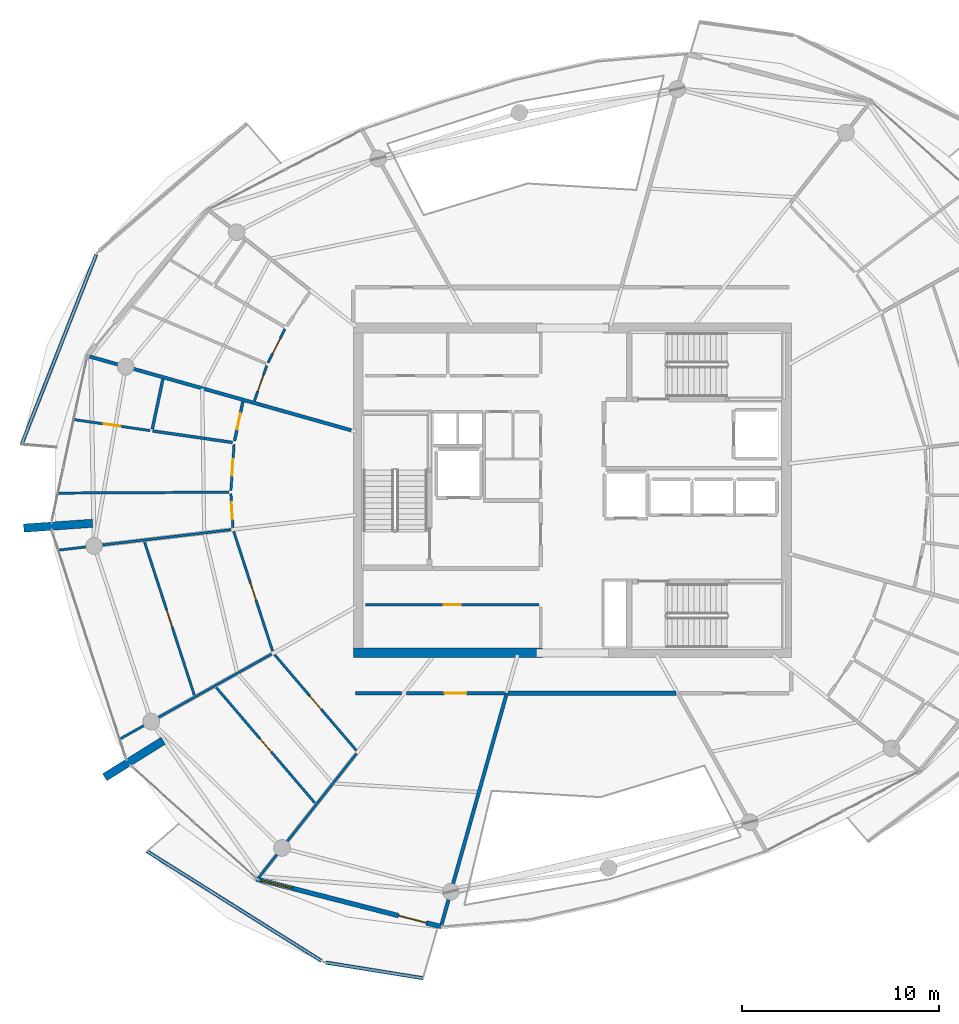
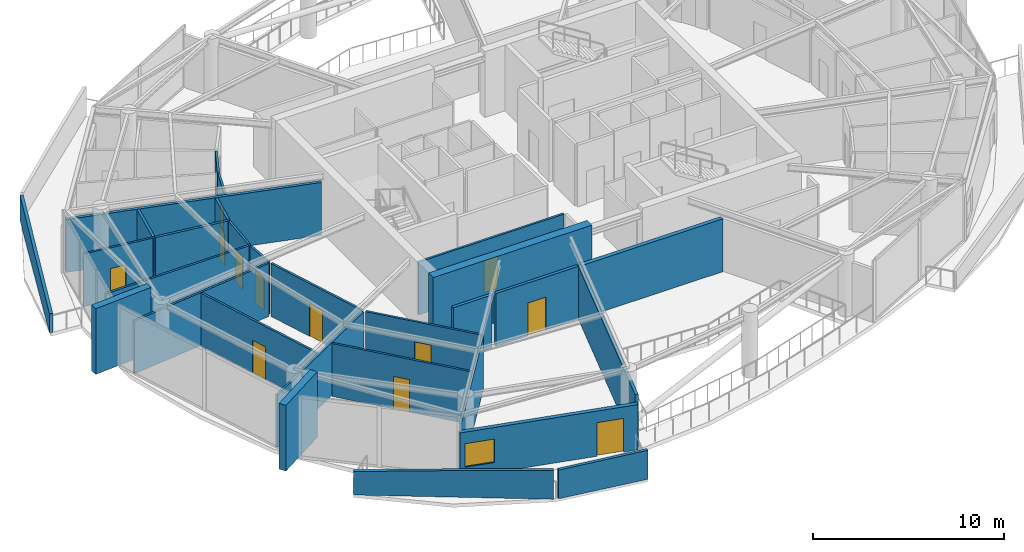
# One storey, part 13 of 22: 29 walls, 13 doors, 1 window, 14 openings.
"""IFC4 building model written with IfcOpenShell, lengths in metres."""

from ifc_helpers import new_model, si_unit, direction, frame, frame_2d, origin, place, context, subcontext, project, spatial, polyline, rectangle, outline, extrude, material, layer, layer_set, type_object, element, fill, save


model = new_model("IFC4")

# Units and contexts
model_context = context("Model", 3, precision=1e-05, world=origin(), true_north=direction((0.0, 1.0)))
body_context = subcontext(model_context, "Body", "Model", "MODEL_VIEW")
ifc_project = project(units=[si_unit("LENGTHUNIT", "METRE"), si_unit("AREAUNIT", "SQUARE_METRE"), si_unit("VOLUMEUNIT", "CUBIC_METRE"), si_unit("PLANEANGLEUNIT", "RADIAN"), si_unit("MASSUNIT", "GRAM", prefix="KILO")], contexts=[model_context])

# Site, building, storey
site_placement = place(None, origin())
site = spatial("IfcSite", under=ifc_project, at=site_placement, CompositionType="ELEMENT")
building_placement = place(site_placement, origin())
building = spatial("IfcBuilding", under=site, at=building_placement, Name="Kazma Halo Residences", CompositionType="ELEMENT")
storey_placement = place(building_placement, frame((0.0, 0.0, 334.699951171875)))
storey = spatial("IfcBuildingStorey", under=building, at=storey_placement, Name="L84", CompositionType="ELEMENT", Elevation=334.699951171875)

# Walls
ifc_material_1 = material(Name="White Concrete C50/60 Balustrade", Category="concrete")
ifc_layer_1 = layer(ifc_material_1, 0.179931640625)
ifc_layer_set_1 = layer_set([ifc_layer_1], Name="White Concrete C50/60 Balustrade")
wall_type_1 = type_object("IfcWallType", Name="WL-BAL-WAVE-180", PredefinedType="PARAPET", material=ifc_layer_set_1)
wall_1_placement = place(storey_placement, frame((24.24462890625, 53.969970703125, 0.0), z_axis=(0.0, 0.0, 1.0), x_axis=(-0.36569397139, -0.930735149916, 0.0)))
element("IfcWall", 1, at=wall_1_placement, inside=storey, type_object=wall_type_1, Name="L84 white wave balustrade wall NW.2", PredefinedType="PARAPET", context=body_context, shape_type="SweptSolid", body=[
    extrude(outline(polyline([(0.0, 0.0), (10.349853515625, 0.0), (10.35009765625, 1.233154296875), (5.175048828125, 1.41796875), (0.0, 1.632080078125), (0.0, 0.0)])), frame((0.0, 0.08984375, 0.0), z_axis=(0.0, -1.0, 0.0), x_axis=(1.0, 0.0, 0.0)), (0.0, 0.0, 1.0), 0.179931640625),
])
wall_2_placement = place(storey_placement, frame((26.812744140625, 23.679443359375, 0.0), z_axis=(0.0, 0.0, 1.0), x_axis=(0.846699200114, -0.532071860302, 0.0)))
element("IfcWall", 2, at=wall_2_placement, inside=storey, type_object=wall_type_1, Name="L84 white wave balustrade wall SW.1", PredefinedType="PARAPET", context=body_context, shape_type="SweptSolid", body=[
    extrude(outline(polyline([(0.0, 0.0), (10.4833984375, 0.0), (10.4833984375, 1.83203125), (5.24169921875, 1.696044921875), (0.0, 1.4970703125), (0.0, 0.0)])), frame((0.0, 0.08984375, 0.0), z_axis=(0.0, -1.0, 0.0), x_axis=(1.0, 0.0, 0.0)), (0.0, 0.0, 1.0), 0.179931640625),
])
wall_3_placement = place(storey_placement, frame((35.9091796875, 18.018798828125, 0.0), z_axis=(0.0, 0.0, 1.0), x_axis=(0.987296491534, -0.158888759215, 0.0)))
element("IfcWall", 3, at=wall_3_placement, inside=storey, type_object=wall_type_1, Name="L84 white wave balustrade wall SW.2", PredefinedType="PARAPET", context=body_context, shape_type="SweptSolid", body=[
    extrude(outline(polyline([(0.0, 0.0), (5.0029296875, 0.0), (5.003173828125, 1.85400390625), (0.0, 1.83203125), (0.0, 0.0)])), frame((0.0, 0.08984375, 0.0), z_axis=(0.0, -1.0, 0.0), x_axis=(1.0, 0.0, 0.0)), (0.0, 0.0, 1.0), 0.179931640625),
])
ifc_material_2 = material(Name="Pale Concrete C60/75", Category="concrete")
ifc_layer_2 = layer(ifc_material_2, 0.419921875)
ifc_layer_set_2 = layer_set([ifc_layer_2], Name="Pale Concrete C60/75")
wall_type_2 = type_object("IfcWallType", Name="WL-BLADE-420", PredefinedType="SOLIDWALL", material=ifc_layer_set_2)
for number, where, z_axis, x_axis, name in (
    (4, (24.05908203125, 40.325927734375, 0.0), (0.0, 0.0, 1.0), (-0.997564163539, -0.069754853754, 0.0), "L84 pale concrete structural blade fin wall BW-02"),
    (5, (27.6474609375, 29.2822265625, 0.0), (0.0, 0.0, 1.0), (-0.848053161125, -0.529911158502, 0.0), "L84 pale concrete structural blade fin wall BW-03"),
):
    element("IfcWall", number, at=place(storey_placement, frame(where, z_axis=z_axis, x_axis=x_axis)), inside=storey, type_object=wall_type_2, Name=name, PredefinedType="SOLIDWALL", context=body_context, shape_type="SweptSolid", body=[
        extrude(rectangle(XDim=3.5, YDim=0.419921875, at=frame_2d((1.75, 0.0))), origin(), (0.0, 0.0, 1.0), 4.199951171875),
    ])
ifc_material_3 = material(Name="Concrete C60/75", Category="concrete")
ifc_layer_3 = layer(ifc_material_3, 0.5)
ifc_layer_set_3 = layer_set([ifc_layer_3], Name="Concrete C60/75")
wall_type_3 = type_object("IfcWallType", Name="WL-CORE-500", PredefinedType="SHEAR", material=ifc_layer_set_3)
wall_4_placement = place(storey_placement, frame((37.300048828125, 33.75, 0.0), z_axis=(0.0, 0.0, 1.0), x_axis=(1.0, 0.0, 0.0)))
element("IfcWall", 6, at=wall_4_placement, inside=storey, type_object=wall_type_3, Name="L84 central core shear wall SW", PredefinedType="SHEAR", context=body_context, shape_type="SweptSolid", body=[
    extrude(rectangle(XDim=9.599853515625, YDim=0.5, at=frame_2d((4.7998046875, 0.0))), origin(), (0.0, 0.0, 1.0), 4.199951171875),
])
ifc_material_4 = material(Name="Acoustic Twin-Stud Gypsum")
ifc_layer_4 = layer(ifc_material_4, 0.179931640625)
ifc_layer_set_4 = layer_set([ifc_layer_4], Name="Acoustic Twin-Stud Gypsum")
wall_type_4 = type_object("IfcWallType", Name="WL-DEM-180", PredefinedType="PARTITIONING", material=ifc_layer_set_4)
wall_5_placement = place(storey_placement, frame((37.194091796875, 45.047607421875, 0.0), z_axis=(0.0, 0.0, 1.0), x_axis=(-0.962457024049, 0.271434111451, 0.0)))
element("IfcWall", 7, at=wall_5_placement, inside=storey, type_object=wall_type_4, Name="L84 apartment demising radial wall 06", PredefinedType="PARTITIONING", context=body_context, shape_type="SweptSolid", body=[
    extrude(rectangle(XDim=13.79931640625, YDim=0.179931640625, at=frame_2d((6.899658203125, 0.0))), origin(), (0.0, 0.0, 1.0), 3.380126953125),
])
wall_6_placement = place(storey_placement, frame((45.09521484375, 31.699951171875, 0.0), z_axis=(0.0, 0.0, 1.0), x_axis=(-0.271453030279, -0.962451688321, 0.0)))
element("IfcWall", 8, at=wall_6_placement, inside=storey, type_object=wall_type_4, Name="L84 apartment demising radial wall 10", PredefinedType="PARTITIONING", context=body_context, shape_type="SweptSolid", body=[
    extrude(rectangle(XDim=12.191162109375, YDim=0.179931640625, at=frame_2d((6.095703125, 0.0))), origin(), (0.0, 0.0, 1.0), 3.380126953125),
])

# Wall, opening, door
wall_7_placement = place(storey_placement, frame((40.0, 31.699951171875, 0.0), z_axis=(0.0, 0.0, 1.0), x_axis=(1.0, 0.0, 0.0)))
wall_7 = element("IfcWall", 9, at=wall_7_placement, inside=storey, type_object=wall_type_4, Name="L84 Penthouse 2 entrance corridor wall", PredefinedType="PARTITIONING", context=body_context, shape_type="SweptSolid", body=[
    extrude(rectangle(XDim=4.97509765625, YDim=0.179931640625, at=frame_2d((2.487548828125, 0.0))), origin(), (0.0, 0.0, 1.0), 3.380126953125),
])
opening_1_placement = place(wall_7_placement, frame((1.9375, 0.0, 0.0)))
opening_1 = element("IfcOpeningElement", 10, at=opening_1_placement, cuts=wall_7, Name="Opening DA-1100", PredefinedType="OPENING", context=body_context, shape_type="SweptSolid", body=[
    extrude(rectangle(XDim=1.10009765625, YDim=2.10009765625, at=frame_2d((0.550048828125, 1.050048828125))), frame((0.0, 0.099853515625, 0.0), z_axis=(0.0, -1.0, 0.0), x_axis=(1.0, 0.0, 0.0)), (0.0, 0.0, 1.0), 0.199951171875),
])
ifc_material_5 = material(Name="Acoustic Walnut Fire Leaf")
door_type_1 = type_object("IfcDoorType", Name="DR-FD60-1100", OperationType="NOTDEFINED", PredefinedType="DOOR", material=ifc_material_5)
door_1_placement = place(opening_1_placement, origin())
door_1 = element("IfcDoor", 11, at=door_1_placement, inside=storey, type_object=door_type_1, Name="L84 Penthouse 2 entrance fire door", OperationType="SINGLE_SWING_LEFT", OverallHeight=2.10009765625, OverallWidth=1.10009765625, PredefinedType="DOOR", context=body_context, shape_type="SweptSolid", body=[
    extrude(rectangle(XDim=1.10009765625, YDim=2.10009765625, at=frame_2d((0.550048828125, 1.050048828125))), frame((0.0, 0.02490234375, 0.0), z_axis=(0.0, -1.0, 0.0), x_axis=(1.0, 0.0, 0.0)), (0.0, 0.0, 1.0), 0.050048828125),
])
fill(opening_1, door_1)

# Wall
wall_8_placement = place(storey_placement, frame((37.419921875, 31.699951171875, 0.0), z_axis=(0.0, 0.0, 1.0), x_axis=(1.0, 0.0, 0.0)))
element("IfcWall", 12, at=wall_8_placement, inside=storey, type_object=wall_type_4, Name="L84 Penthouse 2 inner wall 8", PredefinedType="PARTITIONING", context=body_context, shape_type="SweptSolid", body=[
    extrude(rectangle(XDim=2.340087890625, YDim=0.179931640625, at=frame_2d((1.169921875, 0.0))), origin(), (0.0, 0.0, 1.0), 3.380126953125),
])

# Wall, openings, door, window
ifc_material_6 = material(Name="Insulated Pale-Metal Composite Wall")
ifc_layer_5 = layer(ifc_material_6, 0.239990234375)
ifc_layer_set_5 = layer_set([ifc_layer_5], Name="Insulated Pale-Metal Composite Wall")
wall_type_5 = type_object("IfcWallType", Name="WL-EXT-HOST-240", PredefinedType="SOLIDWALL", material=ifc_layer_set_5)
wall_9_placement = place(storey_placement, frame((32.380126953125, 22.26025390625, 0.0), z_axis=(0.0, 0.0, 1.0), x_axis=(0.968389062354, -0.249444630957, 0.0)))
wall_9 = element("IfcWall", 13, at=wall_9_placement, inside=storey, type_object=wall_type_5, Name="L84 exterior terrace-access wall B10", PredefinedType="SOLIDWALL", context=body_context, shape_type="SweptSolid", body=[
    extrude(rectangle(XDim=9.677734375, YDim=0.239990234375, at=frame_2d((4.8388671875, 0.0))), origin(), (0.0, 0.0, 1.0), 2.89013671875),
])
opening_2_placement = place(wall_9_placement, frame((7.457763671875, 0.0, 0.0)))
opening_2 = element("IfcOpeningElement", 14, at=opening_2_placement, cuts=wall_9, Name="Opening DTR-1600", PredefinedType="OPENING", context=body_context, shape_type="SweptSolid", body=[
    extrude(rectangle(XDim=1.449951171875, YDim=2.14990234375, at=frame_2d((0.72509765625, 1.074951171875))), frame((0.0, 0.1298828125, 0.0), z_axis=(0.0, -1.0, 0.0), x_axis=(1.0, 0.0, 0.0)), (0.0, 0.0, 1.0), 0.260009765625),
])
opening_3_placement = place(wall_9_placement, frame((0.280029296875, 0.0, 0.64990234375)))
opening_3 = element("IfcOpeningElement", 15, at=opening_3_placement, cuts=wall_9, Name="Opening W-1800", PredefinedType="OPENING", context=body_context, shape_type="SweptSolid", body=[
    extrude(rectangle(XDim=1.60009765625, YDim=1.5, at=frame_2d((0.800048828125, 0.75))), frame((0.0, 0.1298828125, 0.0), z_axis=(0.0, -1.0, 0.0), x_axis=(1.0, 0.0, 0.0)), (0.0, 0.0, 1.0), 0.260009765625),
])
ifc_material_7 = material(Name="Aluminium AW-6063 T6 Double-Glazed Terrace Door", Category="aluminium")
door_type_2 = type_object("IfcDoorType", Name="DR-EXT-TERR-1600", OperationType="NOTDEFINED", PredefinedType="DOOR", material=ifc_material_7)
door_2_placement = place(opening_2_placement, origin())
door_2 = element("IfcDoor", 16, at=door_2_placement, inside=storey, type_object=door_type_2, Name="L84 B10 balcony terrace door", OperationType="DOUBLE_DOOR_SLIDING", OverallHeight=2.14990234375, OverallWidth=1.449951171875, PredefinedType="DOOR", context=body_context, shape_type="SweptSolid", body=[
    extrude(rectangle(XDim=1.449951171875, YDim=2.14990234375, at=frame_2d((0.72509765625, 1.074951171875))), frame((0.0, 0.02490234375, 0.0), z_axis=(0.0, -1.0, 0.0), x_axis=(1.0, 0.0, 0.0)), (0.0, 0.0, 1.0), 0.050048828125),
])
fill(opening_2, door_2)
ifc_material_8 = material(Name="Clear Triple-Silver Low-E Glass in Aluminium AW-6063 T6 Frame", Category="aluminium")
window_type = type_object("IfcWindowType", Name="WIN-RES-1800", PartitioningType="DOUBLE_PANEL_VERTICAL", PredefinedType="WINDOW", material=ifc_material_8)
window_placement = place(opening_3_placement, origin())
window = element("IfcWindow", 17, at=window_placement, inside=storey, type_object=window_type, Name="L84 B10 apartment window", OverallHeight=1.5, OverallWidth=1.60009765625, PartitioningType="SINGLE_PANEL", PredefinedType="WINDOW", context=body_context, shape_type="SweptSolid", body=[
    extrude(rectangle(XDim=1.60009765625, YDim=1.5, at=frame_2d((0.800048828125, 0.75))), frame((0.0, 0.030029296875, 0.0), z_axis=(0.0, -1.0, 0.0), x_axis=(1.0, 0.0, 0.0)), (0.0, 0.0, 1.0), 0.06005859375),
])
fill(opening_3, window)

# Wall
wall_10_placement = place(storey_placement, frame((45.1650390625, 31.699951171875, 0.0), z_axis=(0.0, 0.0, 1.0), x_axis=(1.0, 0.0, 0.0)))
element("IfcWall", 18, at=wall_10_placement, inside=storey, type_object=wall_type_5, Name="L84 wind-portal core closure wall", PredefinedType="SOLIDWALL", context=body_context, shape_type="SweptSolid", body=[
    extrude(rectangle(XDim=8.533203125, YDim=0.239990234375, at=frame_2d((4.2666015625, 0.0))), origin(), (0.0, 0.0, 1.0), 3.380126953125),
])

# Wall, opening, door
ifc_material_9 = material(Name="Gypsum Plasterboard Partition")
ifc_layer_6 = layer(ifc_material_9, 0.125)
ifc_layer_set_6 = layer_set([ifc_layer_6], Name="Gypsum Plasterboard Partition")
wall_type_6 = type_object("IfcWallType", Name="WL-PART-125", PredefinedType="PARTITIONING", material=ifc_layer_set_6)
wall_11_placement = place(storey_placement, frame((37.919921875, 36.179931640625, 0.0), z_axis=(0.0, 0.0, 1.0), x_axis=(1.0, 0.0, 0.0)))
wall_11 = element("IfcWall", 19, at=wall_11_placement, inside=storey, type_object=wall_type_6, Name="L84 reclaimed south front wall", PredefinedType="PARTITIONING", context=body_context, shape_type="SweptSolid", body=[
    extrude(rectangle(XDim=8.800048828125, YDim=0.125, at=frame_2d((4.39990234375, 0.0))), origin(), (0.0, 0.0, 1.0), 3.380126953125),
])
opening_4_placement = place(wall_11_placement, frame((3.97509765625, 0.0, 0.0)))
opening_4 = element("IfcOpeningElement", 20, at=opening_4_placement, cuts=wall_11, Name="Opening DS-850", PredefinedType="OPENING", context=body_context, shape_type="SweptSolid", body=[
    extrude(rectangle(XDim=0.85009765625, YDim=2.06005859375, at=frame_2d((0.425048828125, 1.030029296875))), frame((0.0, 0.072509765625, 0.0), z_axis=(0.0, -1.0, 0.0), x_axis=(1.0, 0.0, 0.0)), (0.0, 0.0, 1.0), 0.14501953125),
])
ifc_material_10 = material(Name="Painted Steel Access Leaf", Category="steel")
door_type_3 = type_object("IfcDoorType", Name="DR-SVC-850", OperationType="NOTDEFINED", PredefinedType="DOOR", material=ifc_material_10)
door_3_placement = place(opening_4_placement, origin())
door_3 = element("IfcDoor", 21, at=door_3_placement, inside=storey, type_object=door_type_3, Name="L84 reclaimed south service door", OperationType="SINGLE_SWING_LEFT", OverallHeight=2.06005859375, OverallWidth=0.85009765625, PredefinedType="DOOR", context=body_context, shape_type="SweptSolid", body=[
    extrude(rectangle(XDim=0.85009765625, YDim=2.06005859375, at=frame_2d((0.425048828125, 1.030029296875))), frame((0.0, 0.02490234375, 0.0), z_axis=(0.0, -1.0, 0.0), x_axis=(1.0, 0.0, 0.0)), (0.0, 0.0, 1.0), 0.050048828125),
])
fill(opening_4, door_3)

wall_12_placement = place(storey_placement, frame((33.828369140625, 50.18701171875, 0.0), z_axis=(0.0, 0.0, 1.0), x_axis=(-0.449051769977, -0.893505740262, 0.0)))
wall_12 = element("IfcWall", 22, at=wall_12_placement, inside=storey, type_object=wall_type_6, Name="L84 Penthouse 1 Gourmet Kitchen hall wall", PredefinedType="PARTITIONING", context=body_context, shape_type="SweptSolid", body=[
    extrude(rectangle(XDim=1.91162109375, YDim=0.125, at=frame_2d((0.955810546875, 0.0))), origin(), (0.0, 0.0, 1.0), 3.380126953125),
])
opening_5_placement = place(wall_12_placement, frame((0.53076171875, 0.0, 0.0)))
opening_5 = element("IfcOpeningElement", 23, at=opening_5_placement, cuts=wall_12, Name="Opening DB-900", PredefinedType="OPENING", context=body_context, shape_type="SweptSolid", body=[
    extrude(rectangle(XDim=0.85009765625, YDim=2.06005859375, at=frame_2d((0.425048828125, 1.030029296875))), frame((0.0, 0.072509765625, 0.0), z_axis=(0.0, -1.0, 0.0), x_axis=(1.0, 0.0, 0.0)), (0.0, 0.0, 1.0), 0.14501953125),
])
ifc_material_11 = material(Name="Moisture-Sealed Timber Leaf", Category="wood")
door_type_4 = type_object("IfcDoorType", Name="DR-BTH-900", OperationType="NOTDEFINED", PredefinedType="DOOR", material=ifc_material_11)
door_4_placement = place(opening_5_placement, origin())
door_4 = element("IfcDoor", 24, at=door_4_placement, inside=storey, type_object=door_type_4, Name="L84 Penthouse 1 Gourmet Kitchen door", OperationType="SINGLE_SWING_RIGHT", OverallHeight=2.06005859375, OverallWidth=0.85009765625, PredefinedType="DOOR", context=body_context, shape_type="SweptSolid", body=[
    extrude(rectangle(XDim=0.85009765625, YDim=2.06005859375, at=frame_2d((0.425048828125, 1.030029296875))), frame((0.0, 0.02490234375, 0.0), z_axis=(0.0, -1.0, 0.0), x_axis=(1.0, 0.0, 0.0)), (0.0, 0.0, 1.0), 0.050048828125),
])
fill(opening_5, door_4)

wall_13_placement = place(storey_placement, frame((32.907470703125, 48.33203125, 0.0), z_axis=(0.0, 0.0, 1.0), x_axis=(-0.332128336942, -0.943234206229, 0.0)))
wall_13 = element("IfcWall", 25, at=wall_13_placement, inside=storey, type_object=wall_type_6, Name="L84 Penthouse 1 Primary Bedroom hall wall", PredefinedType="PARTITIONING", context=body_context, shape_type="SweptSolid", body=[
    extrude(rectangle(XDim=1.901611328125, YDim=0.125, at=frame_2d((0.95068359375, 0.0))), origin(), (0.0, 0.0, 1.0), 3.380126953125),
])
opening_6_placement = place(wall_13_placement, frame((0.52587890625, 0.0, 0.0)))
opening_6 = element("IfcOpeningElement", 26, at=opening_6_placement, cuts=wall_13, Name="Opening DB-900", PredefinedType="OPENING", context=body_context, shape_type="SweptSolid", body=[
    extrude(rectangle(XDim=0.85009765625, YDim=2.06005859375, at=frame_2d((0.425048828125, 1.030029296875))), frame((0.0, 0.072509765625, 0.0), z_axis=(0.0, -1.0, 0.0), x_axis=(1.0, 0.0, 0.0)), (0.0, 0.0, 1.0), 0.14501953125),
])
door_5_placement = place(opening_6_placement, origin())
door_5 = element("IfcDoor", 27, at=door_5_placement, inside=storey, type_object=door_type_4, Name="L84 Penthouse 1 Primary Bedroom door", OperationType="SINGLE_SWING_LEFT", OverallHeight=2.06005859375, OverallWidth=0.85009765625, PredefinedType="DOOR", context=body_context, shape_type="SweptSolid", body=[
    extrude(rectangle(XDim=0.85009765625, YDim=2.06005859375, at=frame_2d((0.425048828125, 1.030029296875))), frame((0.0, 0.02490234375, 0.0), z_axis=(0.0, -1.0, 0.0), x_axis=(1.0, 0.0, 0.0)), (0.0, 0.0, 1.0), 0.050048828125),
])
fill(opening_6, door_5)

wall_14_placement = place(storey_placement, frame((26.985595703125, 45.032958984375, 0.0), z_axis=(0.0, 0.0, 1.0), x_axis=(-0.989744483193, 0.142849074164, 0.0)))
wall_14 = element("IfcWall", 28, at=wall_14_placement, inside=storey, type_object=wall_type_6, Name="L84 Penthouse 2 Utility Laundry Room partition wall", PredefinedType="PARTITIONING", context=body_context, shape_type="SweptSolid", body=[
    extrude(rectangle(XDim=3.90185546875, YDim=0.125, at=frame_2d((1.950927734375, 0.0))), origin(), (0.0, 0.0, 1.0), 3.380126953125),
])
opening_7_placement = place(wall_14_placement, frame((1.52587890625, 0.0, 0.0)))
opening_7 = element("IfcOpeningElement", 29, at=opening_7_placement, cuts=wall_14, Name="Opening DB-900", PredefinedType="OPENING", context=body_context, shape_type="SweptSolid", body=[
    extrude(rectangle(XDim=0.85009765625, YDim=2.06005859375, at=frame_2d((0.425048828125, 1.030029296875))), frame((0.0, 0.072509765625, 0.0), z_axis=(0.0, -1.0, 0.0), x_axis=(1.0, 0.0, 0.0)), (0.0, 0.0, 1.0), 0.14501953125),
])
door_6_placement = place(opening_7_placement, origin())
door_6 = element("IfcDoor", 30, at=door_6_placement, inside=storey, type_object=door_type_4, Name="L84 Penthouse 2 Utility Laundry Room door", OperationType="SINGLE_SWING_RIGHT", OverallHeight=2.06005859375, OverallWidth=0.85009765625, PredefinedType="DOOR", context=body_context, shape_type="SweptSolid", body=[
    extrude(rectangle(XDim=0.85009765625, YDim=2.06005859375, at=frame_2d((0.425048828125, 1.030029296875))), frame((0.0, 0.02490234375, 0.0), z_axis=(0.0, -1.0, 0.0), x_axis=(1.0, 0.0, 0.0)), (0.0, 0.0, 1.0), 0.050048828125),
])
fill(opening_7, door_6)

# Wall
wall_15_placement = place(storey_placement, frame((30.98828125, 41.906005859375, 0.0), z_axis=(0.0, 0.0, 1.0), x_axis=(-0.999984908948, -0.005493803382, 0.0)))
element("IfcWall", 31, at=wall_15_placement, inside=storey, type_object=wall_type_6, Name="L84 Penthouse 2 suite divider 6", PredefinedType="PARTITIONING", context=body_context, shape_type="SweptSolid", body=[
    extrude(rectangle(XDim=8.665771484375, YDim=0.125, at=frame_2d((4.3330078125, 0.0))), origin(), (0.0, 0.0, 1.0), 3.380126953125),
])

# Wall, opening, door
wall_16_placement = place(storey_placement, frame((31.245361328125, 44.327392578125, 0.0), z_axis=(0.0, 0.0, 1.0), x_axis=(-0.068873502497, -0.997625400967, 0.0)))
wall_16 = element("IfcWall", 32, at=wall_16_placement, inside=storey, type_object=wall_type_6, Name="L84 Penthouse 2 Gourmet Kitchen hall wall", PredefinedType="PARTITIONING", context=body_context, shape_type="SweptSolid", body=[
    extrude(rectangle(XDim=2.3466796875, YDim=0.125, at=frame_2d((1.17333984375, 0.0))), origin(), (0.0, 0.0, 1.0), 3.380126953125),
])
opening_8_placement = place(wall_16_placement, frame((0.748291015625, 0.0, 0.0)))
opening_8 = element("IfcOpeningElement", 33, at=opening_8_placement, cuts=wall_16, Name="Opening DB-900", PredefinedType="OPENING", context=body_context, shape_type="SweptSolid", body=[
    extrude(rectangle(XDim=0.85009765625, YDim=2.06005859375, at=frame_2d((0.425048828125, 1.030029296875))), frame((0.0, 0.072509765625, 0.0), z_axis=(0.0, -1.0, 0.0), x_axis=(1.0, 0.0, 0.0)), (0.0, 0.0, 1.0), 0.14501953125),
])
door_7_placement = place(opening_8_placement, origin())
door_7 = element("IfcDoor", 34, at=door_7_placement, inside=storey, type_object=door_type_4, Name="L84 Penthouse 2 Gourmet Kitchen door", OperationType="SINGLE_SWING_LEFT", OverallHeight=2.06005859375, OverallWidth=0.85009765625, PredefinedType="DOOR", context=body_context, shape_type="SweptSolid", body=[
    extrude(rectangle(XDim=0.85009765625, YDim=2.06005859375, at=frame_2d((0.425048828125, 1.030029296875))), frame((0.0, 0.02490234375, 0.0), z_axis=(0.0, -1.0, 0.0), x_axis=(1.0, 0.0, 0.0)), (0.0, 0.0, 1.0), 0.050048828125),
])
fill(opening_8, door_7)

wall_17_placement = place(storey_placement, frame((31.083251953125, 41.826904296875, 0.0), z_axis=(0.0, 0.0, 1.0), x_axis=(0.061626842896, -0.998099259711, 0.0)))
wall_17 = element("IfcWall", 35, at=wall_17_placement, inside=storey, type_object=wall_type_6, Name="L84 Penthouse 2 Primary Bedroom hall wall", PredefinedType="PARTITIONING", context=body_context, shape_type="SweptSolid", body=[
    extrude(rectangle(XDim=1.71923828125, YDim=0.125, at=frame_2d((0.859619140625, 0.0))), origin(), (0.0, 0.0, 1.0), 3.380126953125),
])
opening_9_placement = place(wall_17_placement, frame((0.4345703125, 0.0, 0.0)))
opening_9 = element("IfcOpeningElement", 36, at=opening_9_placement, cuts=wall_17, Name="Opening DB-900", PredefinedType="OPENING", context=body_context, shape_type="SweptSolid", body=[
    extrude(rectangle(XDim=0.85009765625, YDim=2.06005859375, at=frame_2d((0.425048828125, 1.030029296875))), frame((0.0, 0.072509765625, 0.0), z_axis=(0.0, -1.0, 0.0), x_axis=(1.0, 0.0, 0.0)), (0.0, 0.0, 1.0), 0.14501953125),
])
door_8_placement = place(opening_9_placement, origin())
door_8 = element("IfcDoor", 37, at=door_8_placement, inside=storey, type_object=door_type_4, Name="L84 Penthouse 2 Primary Bedroom door", OperationType="SINGLE_SWING_RIGHT", OverallHeight=2.06005859375, OverallWidth=0.85009765625, PredefinedType="DOOR", context=body_context, shape_type="SweptSolid", body=[
    extrude(rectangle(XDim=0.85009765625, YDim=2.06005859375, at=frame_2d((0.425048828125, 1.030029296875))), frame((0.0, 0.02490234375, 0.0), z_axis=(0.0, -1.0, 0.0), x_axis=(1.0, 0.0, 0.0)), (0.0, 0.0, 1.0), 0.050048828125),
])
fill(opening_9, door_8)

# Wall
wall_18_placement = place(storey_placement, frame((31.095947265625, 39.999267578125, 0.0), z_axis=(0.0, 0.0, 1.0), x_axis=(-0.993069250604, -0.117530691761, 0.0)))
element("IfcWall", 38, at=wall_18_placement, inside=storey, type_object=wall_type_6, Name="L84 Penthouse 2 radial partition 7", PredefinedType="PARTITIONING", context=body_context, shape_type="SweptSolid", body=[
    extrude(rectangle(XDim=8.813720703125, YDim=0.125, at=frame_2d((4.40673828125, 0.0))), origin(), (0.0, 0.0, 1.0), 3.380126953125),
])

# Wall, opening, door
wall_19_placement = place(storey_placement, frame((31.229248046875, 39.906494140625, 0.0), z_axis=(0.0, 0.0, 1.0), x_axis=(0.309023798792, -0.951054305379, 0.0)))
wall_19 = element("IfcWall", 39, at=wall_19_placement, inside=storey, type_object=wall_type_6, Name="L84 Penthouse 2 Primary Study hall wall", PredefinedType="PARTITIONING", context=body_context, shape_type="SweptSolid", body=[
    extrude(rectangle(XDim=6.3828125, YDim=0.125, at=frame_2d((3.19140625, 0.0))), origin(), (0.0, 0.0, 1.0), 3.380126953125),
])
opening_10_placement = place(wall_19_placement, frame((2.7412109375, 0.0, 0.0)))
opening_10 = element("IfcOpeningElement", 40, at=opening_10_placement, cuts=wall_19, Name="Opening DI-950", PredefinedType="OPENING", context=body_context, shape_type="SweptSolid", body=[
    extrude(rectangle(XDim=0.89990234375, YDim=2.080078125, at=frame_2d((0.449951171875, 1.0400390625))), frame((0.0, 0.072509765625, 0.0), z_axis=(0.0, -1.0, 0.0), x_axis=(1.0, 0.0, 0.0)), (0.0, 0.0, 1.0), 0.14501953125),
])
ifc_material_12 = material(Name="Timber Veneer Flush Leaf", Category="wood")
door_type_5 = type_object("IfcDoorType", Name="DR-INT-950", OperationType="NOTDEFINED", PredefinedType="DOOR", material=ifc_material_12)
door_9_placement = place(opening_10_placement, origin())
door_9 = element("IfcDoor", 41, at=door_9_placement, inside=storey, type_object=door_type_5, Name="L84 Penthouse 2 Primary Study door", OperationType="SINGLE_SWING_RIGHT", OverallHeight=2.080078125, OverallWidth=0.89990234375, PredefinedType="DOOR", context=body_context, shape_type="SweptSolid", body=[
    extrude(rectangle(XDim=0.89990234375, YDim=2.080078125, at=frame_2d((0.449951171875, 1.0400390625))), frame((0.0, 0.02490234375, 0.0), z_axis=(0.0, -1.0, 0.0), x_axis=(1.0, 0.0, 0.0)), (0.0, 0.0, 1.0), 0.050048828125),
])
fill(opening_10, door_9)

wall_20_placement = place(storey_placement, frame((26.702880859375, 39.37060546875, 0.0), z_axis=(0.0, 0.0, 1.0), x_axis=(0.309021134762, -0.951055170992, 0.0)))
wall_20 = element("IfcWall", 42, at=wall_20_placement, inside=storey, type_object=wall_type_6, Name="L84 Penthouse 2 Secondary Master Bedroom divider wall", PredefinedType="PARTITIONING", context=body_context, shape_type="SweptSolid", body=[
    extrude(rectangle(XDim=8.1611328125, YDim=0.125, at=frame_2d((4.08056640625, 0.0))), origin(), (0.0, 0.0, 1.0), 3.380126953125),
])
opening_11_placement = place(wall_20_placement, frame((3.630615234375, 0.0, 0.0)))
opening_11 = element("IfcOpeningElement", 43, at=opening_11_placement, cuts=wall_20, Name="Opening DI-950", PredefinedType="OPENING", context=body_context, shape_type="SweptSolid", body=[
    extrude(rectangle(XDim=0.89990234375, YDim=2.080078125, at=frame_2d((0.449951171875, 1.0400390625))), frame((0.0, 0.072509765625, 0.0), z_axis=(0.0, -1.0, 0.0), x_axis=(1.0, 0.0, 0.0)), (0.0, 0.0, 1.0), 0.14501953125),
])
door_10_placement = place(opening_11_placement, origin())
door_10 = element("IfcDoor", 44, at=door_10_placement, inside=storey, type_object=door_type_5, Name="L84 Penthouse 2 Secondary Master Bedroom door", OperationType="SINGLE_SWING_LEFT", OverallHeight=2.080078125, OverallWidth=0.89990234375, PredefinedType="DOOR", context=body_context, shape_type="SweptSolid", body=[
    extrude(rectangle(XDim=0.89990234375, YDim=2.080078125, at=frame_2d((0.449951171875, 1.0400390625))), frame((0.0, 0.02490234375, 0.0), z_axis=(0.0, -1.0, 0.0), x_axis=(1.0, 0.0, 0.0)), (0.0, 0.0, 1.0), 0.050048828125),
])
fill(opening_11, door_10)

# Walls
wall_21_placement = place(storey_placement, frame((33.1484375, 33.6826171875, 0.0), z_axis=(0.0, 0.0, 1.0), x_axis=(-0.872504598877, -0.488605899409, 0.0)))
element("IfcWall", 45, at=wall_21_placement, inside=storey, type_object=wall_type_6, Name="L84 Penthouse 2 radial partition 8", PredefinedType="PARTITIONING", context=body_context, shape_type="SweptSolid", body=[
    extrude(rectangle(XDim=8.813720703125, YDim=0.125, at=frame_2d((4.40673828125, 0.0))), origin(), (0.0, 0.0, 1.0), 3.380126953125),
])
wall_22_placement = place(storey_placement, frame((37.4619140625, 28.63232421875, 0.0), z_axis=(0.0, 0.0, 1.0), x_axis=(-0.619099165969, -0.78531281837, 0.0)))
element("IfcWall", 46, at=wall_22_placement, inside=storey, type_object=wall_type_6, Name="L84 Penthouse 2 living radial partition 8", PredefinedType="PARTITIONING", context=body_context, shape_type="SweptSolid", body=[
    extrude(rectangle(XDim=8.10498046875, YDim=0.125, at=frame_2d((4.052490234375, 0.0))), origin(), (0.0, 0.0, 1.0), 3.380126953125),
])

# Wall, opening, door
wall_23_placement = place(storey_placement, frame((33.306884765625, 33.64794921875, 0.0), z_axis=(0.0, 0.0, 1.0), x_axis=(0.649467421322, -0.760389419075, 0.0)))
wall_23 = element("IfcWall", 47, at=wall_23_placement, inside=storey, type_object=wall_type_6, Name="L84 Penthouse 2 East Study hall wall", PredefinedType="PARTITIONING", context=body_context, shape_type="SweptSolid", body=[
    extrude(rectangle(XDim=6.3828125, YDim=0.125, at=frame_2d((3.19140625, 0.0))), origin(), (0.0, 0.0, 1.0), 3.380126953125),
])
opening_12_placement = place(wall_23_placement, frame((2.741455078125, 0.0, 0.0)))
opening_12 = element("IfcOpeningElement", 48, at=opening_12_placement, cuts=wall_23, Name="Opening DI-950", PredefinedType="OPENING", context=body_context, shape_type="SweptSolid", body=[
    extrude(rectangle(XDim=0.89990234375, YDim=2.080078125, at=frame_2d((0.449951171875, 1.0400390625))), frame((0.0, 0.072509765625, 0.0), z_axis=(0.0, -1.0, 0.0), x_axis=(1.0, 0.0, 0.0)), (0.0, 0.0, 1.0), 0.14501953125),
])
door_11_placement = place(opening_12_placement, origin())
door_11 = element("IfcDoor", 49, at=door_11_placement, inside=storey, type_object=door_type_5, Name="L84 Penthouse 2 East Study door", OperationType="SINGLE_SWING_LEFT", OverallHeight=2.080078125, OverallWidth=0.89990234375, PredefinedType="DOOR", context=body_context, shape_type="SweptSolid", body=[
    extrude(rectangle(XDim=0.89990234375, YDim=2.080078125, at=frame_2d((0.449951171875, 1.0400390625))), frame((0.0, 0.02490234375, 0.0), z_axis=(0.0, -1.0, 0.0), x_axis=(1.0, 0.0, 0.0)), (0.0, 0.0, 1.0), 0.050048828125),
])
fill(opening_12, door_11)

wall_24_placement = place(storey_placement, frame((30.34130859375, 31.987060546875, 0.0), z_axis=(0.0, 0.0, 1.0), x_axis=(0.649457620817, -0.760397789819, 0.0)))
wall_24 = element("IfcWall", 50, at=wall_24_placement, inside=storey, type_object=wall_type_6, Name="L84 Penthouse 2 West Master Bedroom divider wall", PredefinedType="PARTITIONING", context=body_context, shape_type="SweptSolid", body=[
    extrude(rectangle(XDim=7.708984375, YDim=0.125, at=frame_2d((3.8544921875, 0.0))), origin(), (0.0, 0.0, 1.0), 3.380126953125),
])
opening_13_placement = place(wall_24_placement, frame((3.404541015625, 0.0, 0.0)))
opening_13 = element("IfcOpeningElement", 51, at=opening_13_placement, cuts=wall_24, Name="Opening DI-950", PredefinedType="OPENING", context=body_context, shape_type="SweptSolid", body=[
    extrude(rectangle(XDim=0.89990234375, YDim=2.080078125, at=frame_2d((0.449951171875, 1.0400390625))), frame((0.0, 0.072509765625, 0.0), z_axis=(0.0, -1.0, 0.0), x_axis=(1.0, 0.0, 0.0)), (0.0, 0.0, 1.0), 0.14501953125),
])
door_12_placement = place(opening_13_placement, origin())
door_12 = element("IfcDoor", 52, at=door_12_placement, inside=storey, type_object=door_type_5, Name="L84 Penthouse 2 West Master Bedroom door", OperationType="SINGLE_SWING_RIGHT", OverallHeight=2.080078125, OverallWidth=0.89990234375, PredefinedType="DOOR", context=body_context, shape_type="SweptSolid", body=[
    extrude(rectangle(XDim=0.89990234375, YDim=2.080078125, at=frame_2d((0.449951171875, 1.0400390625))), frame((0.0, 0.02490234375, 0.0), z_axis=(0.0, -1.0, 0.0), x_axis=(1.0, 0.0, 0.0)), (0.0, 0.0, 1.0), 0.050048828125),
])
fill(opening_13, door_12)

ifc_material_13 = material(Name="Moisture-Resistant Gypsum")
ifc_layer_7 = layer(ifc_material_13, 0.14990234375)
ifc_layer_set_7 = layer_set([ifc_layer_7], Name="Moisture-Resistant Gypsum")
wall_type_7 = type_object("IfcWallType", Name="WL-WET-150", PredefinedType="PARTITIONING", material=ifc_layer_set_7)
wall_25_placement = place(storey_placement, frame((31.6923828125, 46.49560546875, 0.0), z_axis=(0.0, 0.0, 1.0), x_axis=(-0.207455496804, -0.978244456588, 0.0)))
wall_25 = element("IfcWall", 53, at=wall_25_placement, inside=storey, type_object=wall_type_7, Name="L84 Penthouse 2 Guest Bathroom hall wall", PredefinedType="PARTITIONING", context=body_context, shape_type="SweptSolid", body=[
    extrude(rectangle(XDim=2.03466796875, YDim=0.14990234375, at=frame_2d((1.017333984375, 0.0))), origin(), (0.0, 0.0, 1.0), 3.380126953125),
])
opening_14_placement = place(wall_25_placement, frame((0.59228515625, 0.0, 0.0)))
opening_14 = element("IfcOpeningElement", 54, at=opening_14_placement, cuts=wall_25, Name="Opening DB-900", PredefinedType="OPENING", context=body_context, shape_type="SweptSolid", body=[
    extrude(rectangle(XDim=0.85009765625, YDim=2.06005859375, at=frame_2d((0.425048828125, 1.030029296875))), frame((0.0, 0.0849609375, 0.0), z_axis=(0.0, -1.0, 0.0), x_axis=(1.0, 0.0, 0.0)), (0.0, 0.0, 1.0), 0.169921875),
])
door_13_placement = place(opening_14_placement, origin())
door_13 = element("IfcDoor", 55, at=door_13_placement, inside=storey, type_object=door_type_4, Name="L84 Penthouse 2 Guest Bathroom door", OperationType="SINGLE_SWING_LEFT", OverallHeight=2.06005859375, OverallWidth=0.85009765625, PredefinedType="DOOR", context=body_context, shape_type="SweptSolid", body=[
    extrude(rectangle(XDim=0.85009765625, YDim=2.06005859375, at=frame_2d((0.425048828125, 1.030029296875))), frame((0.0, 0.02490234375, 0.0), z_axis=(0.0, -1.0, 0.0), x_axis=(1.0, 0.0, 0.0)), (0.0, 0.0, 1.0), 0.050048828125),
])
fill(opening_14, door_13)

# Walls
wall_26_placement = place(storey_placement, frame((27.631103515625, 47.64111328125, 0.0), z_axis=(0.0, 0.0, 1.0), x_axis=(-0.207597158551, -0.978214403779, 0.0)))
element("IfcWall", 56, at=wall_26_placement, inside=storey, type_object=wall_type_7, Name="L84 Penthouse 2 Guest Bathroom back wall", PredefinedType="PARTITIONING", context=body_context, shape_type="SweptSolid", body=[
    extrude(rectangle(XDim=2.589599609375, YDim=0.14990234375, at=frame_2d((1.294921875, 0.0))), origin(), (0.0, 0.0, 1.0), 3.380126953125),
])
wall_27_placement = place(storey_placement, frame((31.162353515625, 44.43017578125, 0.0), z_axis=(0.0, 0.0, 1.0), x_axis=(-0.989744304981, 0.142850308916, 0.0)))
element("IfcWall", 57, at=wall_27_placement, inside=storey, type_object=wall_type_7, Name="L84 Penthouse 2 Guest Bathroom side wall", PredefinedType="PARTITIONING", context=body_context, shape_type="SweptSolid", body=[
    extrude(rectangle(XDim=4.08984375, YDim=0.14990234375, at=frame_2d((2.044921875, 0.0))), origin(), (0.0, 0.0, 1.0), 3.380126953125),
])

save(model, "model.ifc")
